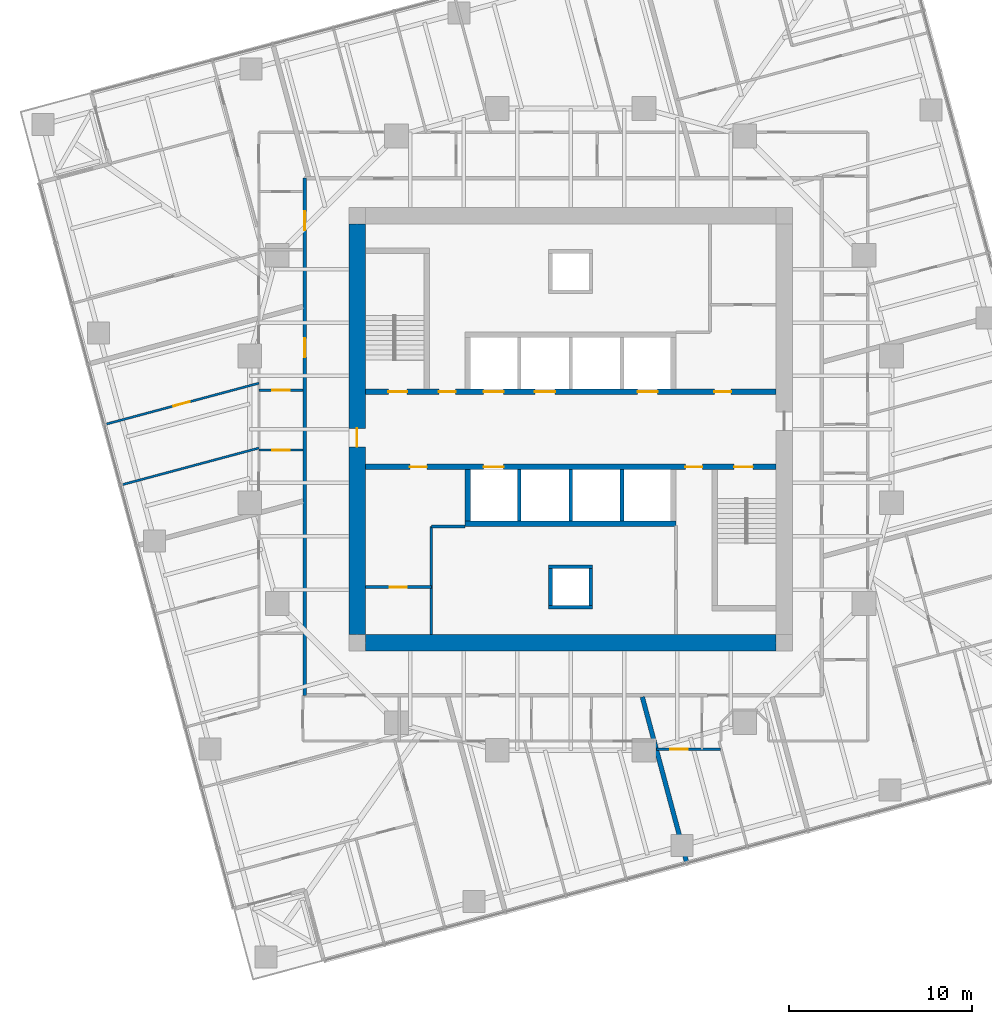
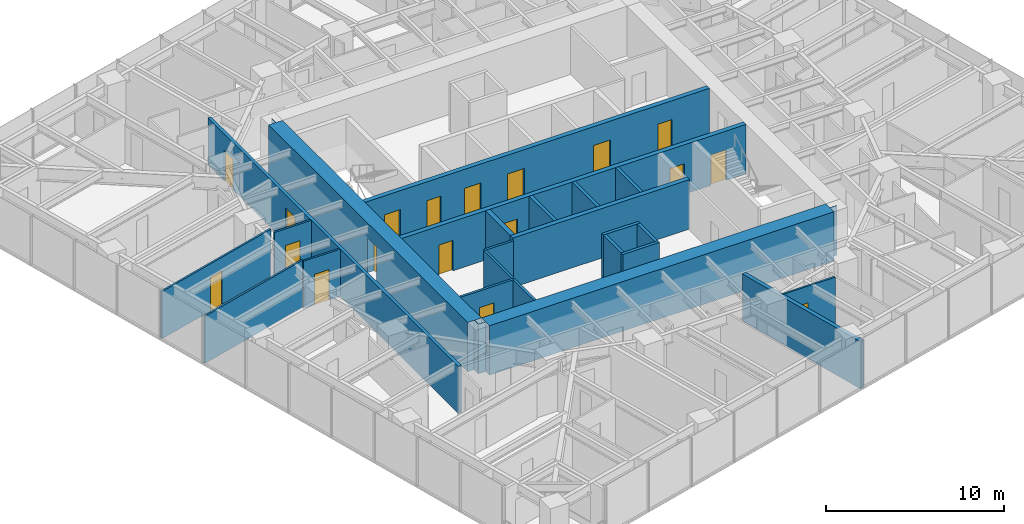
# One storey, part 9 of 14: 23 walls, 18 doors, 18 openings.
"""IFC4 building model written with IfcOpenShell, lengths in metres."""

from ifc_helpers import new_model, si_unit, direction, frame, frame_2d, origin, place, context, subcontext, project, spatial, polyline, rectangle, outline, extrude, material, layer, layer_set, type_object, element, fill, save


model = new_model("IFC4")

# Units and contexts
model_context = context("Model", 3, precision=1e-05, world=origin(), true_north=direction((0.0, 1.0)))
body_context = subcontext(model_context, "Body", "Model", "MODEL_VIEW")
ifc_project = project(units=[si_unit("LENGTHUNIT", "METRE"), si_unit("AREAUNIT", "SQUARE_METRE"), si_unit("VOLUMEUNIT", "CUBIC_METRE"), si_unit("PLANEANGLEUNIT", "RADIAN"), si_unit("MASSUNIT", "GRAM", prefix="KILO")], contexts=[model_context])

# Site, building, storey
site_placement = place(None, origin())
site = spatial("IfcSite", under=ifc_project, at=site_placement, CompositionType="ELEMENT")
building_placement = place(site_placement, origin())
building = spatial("IfcBuilding", under=site, at=building_placement, Name="Torsade Residences", CompositionType="ELEMENT")
storey_placement = place(building_placement, frame((0.0, 0.0, 125.199951171875)))
storey = spatial("IfcBuildingStorey", under=building, at=storey_placement, Name="L34", CompositionType="ELEMENT", Elevation=125.199951171875)

# Wall, openings, doors
ifc_material_1 = material(Name="Concrete 80 MPa", Category="concrete")
ifc_layer_1 = layer(ifc_material_1, 0.300048828125)
ifc_layer_set_1 = layer_set([ifc_layer_1], Name="Concrete 80 MPa")
wall_type_1 = type_object("IfcWallType", Name="CORE INTERNAL WALL 300", PredefinedType="SHEAR", material=ifc_layer_set_1)
wall_1_placement = place(storey_placement, frame((28.800048828125, 32.050048828125, 0.0), z_axis=(0.0, 0.0, 1.0), x_axis=(1.0, 0.0, 0.0)))
wall_1 = element("IfcWall", 1, at=wall_1_placement, inside=storey, type_object=wall_type_1, Name="Core wall LN L34", PredefinedType="SHEAR", context=body_context, shape_type="SweptSolid", body=[
    extrude(rectangle(XDim=22.39990234375, YDim=0.300048828125, at=frame_2d((11.199951171875, 0.0))), origin(), (0.0, 0.0, 1.0), 3.400146484375),
])
opening_1_placement = place(wall_1_placement, frame((19.0400390625, 0.0, 0.0)))
opening_1 = element("IfcOpeningElement", 2, at=opening_1_placement, cuts=wall_1, Name="Opening D06", PredefinedType="OPENING", context=body_context, shape_type="SweptSolid", body=[
    extrude(rectangle(XDim=0.919921875, YDim=2.10009765625, at=frame_2d((0.4599609375, 1.050048828125))), frame((0.0, 0.159912109375, 0.0), z_axis=(0.0, -1.0, 0.0), x_axis=(1.0, 0.0, 0.0)), (0.0, 0.0, 1.0), 0.320068359375),
])
opening_2_placement = place(wall_1_placement, frame((1.264892578125, 0.0, 0.0)))
opening_2 = element("IfcOpeningElement", 3, at=opening_2_placement, cuts=wall_1, Name="Opening D03", PredefinedType="OPENING", context=body_context, shape_type="SweptSolid", body=[
    extrude(rectangle(XDim=1.02001953125, YDim=2.10009765625, at=frame_2d((0.510009765625, 1.050048828125))), frame((0.0, 0.159912109375, 0.0), z_axis=(0.0, -1.0, 0.0), x_axis=(1.0, 0.0, 0.0)), (0.0, 0.0, 1.0), 0.320068359375),
])
opening_3_placement = place(wall_1_placement, frame((4.014892578125, 0.0, 0.0)))
opening_3 = element("IfcOpeningElement", 4, at=opening_3_placement, cuts=wall_1, Name="Opening D06", PredefinedType="OPENING", context=body_context, shape_type="SweptSolid", body=[
    extrude(rectangle(XDim=0.919921875, YDim=2.10009765625, at=frame_2d((0.4599609375, 1.050048828125))), frame((0.0, 0.159912109375, 0.0), z_axis=(0.0, -1.0, 0.0), x_axis=(1.0, 0.0, 0.0)), (0.0, 0.0, 1.0), 0.320068359375),
])
opening_4_placement = place(wall_1_placement, frame((6.449951171875, 0.0, 0.0)))
opening_4 = element("IfcOpeningElement", 5, at=opening_4_placement, cuts=wall_1, Name="Opening LD", PredefinedType="OPENING", context=body_context, shape_type="SweptSolid", body=[
    extrude(rectangle(XDim=1.10009765625, YDim=2.10009765625, at=frame_2d((0.550048828125, 1.050048828125))), frame((0.0, 0.159912109375, 0.0), z_axis=(0.0, -1.0, 0.0), x_axis=(1.0, 0.0, 0.0)), (0.0, 0.0, 1.0), 0.320068359375),
])
opening_5_placement = place(wall_1_placement, frame((9.25, 0.0, 0.0)))
opening_5 = element("IfcOpeningElement", 6, at=opening_5_placement, cuts=wall_1, Name="Opening LD", PredefinedType="OPENING", context=body_context, shape_type="SweptSolid", body=[
    extrude(rectangle(XDim=1.10009765625, YDim=2.10009765625, at=frame_2d((0.550048828125, 1.050048828125))), frame((0.0, 0.159912109375, 0.0), z_axis=(0.0, -1.0, 0.0), x_axis=(1.0, 0.0, 0.0)), (0.0, 0.0, 1.0), 0.320068359375),
])
opening_6_placement = place(wall_1_placement, frame((14.85009765625, 0.0, 0.0)))
opening_6 = element("IfcOpeningElement", 7, at=opening_6_placement, cuts=wall_1, Name="Opening LD", PredefinedType="OPENING", context=body_context, shape_type="SweptSolid", body=[
    extrude(rectangle(XDim=1.10009765625, YDim=2.10009765625, at=frame_2d((0.550048828125, 1.050048828125))), frame((0.0, 0.159912109375, 0.0), z_axis=(0.0, -1.0, 0.0), x_axis=(1.0, 0.0, 0.0)), (0.0, 0.0, 1.0), 0.320068359375),
])
ifc_material_2 = material(Name="Steel-framed fire door", Category="steel")
door_type_1 = type_object("IfcDoorType", Name="FIRE DOOR 1020", OperationType="NOTDEFINED", PredefinedType="DOOR", material=ifc_material_2)
door_1_placement = place(opening_2_placement, origin())
door_1 = element("IfcDoor", 8, at=door_1_placement, inside=storey, type_object=door_type_1, Name="Exit door to fire-isolated stair ST1 L34", OperationType="SINGLE_SWING_RIGHT", OverallHeight=2.10009765625, OverallWidth=1.02001953125, PredefinedType="DOOR", context=body_context, shape_type="SweptSolid", body=[
    extrude(rectangle(XDim=1.02001953125, YDim=2.10009765625, at=frame_2d((0.510009765625, 1.050048828125))), frame((0.0, 0.02490234375, 0.0), z_axis=(0.0, -1.0, 0.0), x_axis=(1.0, 0.0, 0.0)), (0.0, 0.0, 1.0), 0.050048828125),
])
fill(opening_2, door_1)
ifc_material_3 = material(Name="Steel-framed fire door", Category="steel")
door_type_2 = type_object("IfcDoorType", Name="FIRE DOOR 920", OperationType="NOTDEFINED", PredefinedType="DOOR", material=ifc_material_3)
door_2_placement = place(opening_1_placement, origin())
door_2 = element("IfcDoor", 9, at=door_2_placement, inside=storey, type_object=door_type_2, Name="Door Lift lobby to Refuse room", OperationType="SINGLE_SWING_LEFT", OverallHeight=2.10009765625, OverallWidth=0.919921875, PredefinedType="DOOR", context=body_context, shape_type="SweptSolid", body=[
    extrude(rectangle(XDim=0.919921875, YDim=2.10009765625, at=frame_2d((0.4599609375, 1.050048828125))), frame((0.0, 0.02490234375, 0.0), z_axis=(0.0, -1.0, 0.0), x_axis=(1.0, 0.0, 0.0)), (0.0, 0.0, 1.0), 0.050048828125),
])
fill(opening_1, door_2)
door_3_placement = place(opening_3_placement, origin())
door_3 = element("IfcDoor", 10, at=door_3_placement, inside=storey, type_object=door_type_2, Name="Door Lift lobby to Electrical riser room", OperationType="SINGLE_SWING_LEFT", OverallHeight=2.10009765625, OverallWidth=0.919921875, PredefinedType="DOOR", context=body_context, shape_type="SweptSolid", body=[
    extrude(rectangle(XDim=0.919921875, YDim=2.10009765625, at=frame_2d((0.4599609375, 1.050048828125))), frame((0.0, 0.02490234375, 0.0), z_axis=(0.0, -1.0, 0.0), x_axis=(1.0, 0.0, 0.0)), (0.0, 0.0, 1.0), 0.050048828125),
])
fill(opening_3, door_3)
ifc_material_4 = material(Name="Stainless steel lift landing door", Category="steel")
door_type_3 = type_object("IfcDoorType", Name="LIFT LANDING DOOR 1100", OperationType="SLIDING_TO_LEFT", PredefinedType="DOOR", material=ifc_material_4)
door_4_placement = place(opening_4_placement, origin())
door_4 = element("IfcDoor", 11, at=door_4_placement, inside=storey, type_object=door_type_3, Name="Lift LA1 landing door L34", OperationType="SLIDING_TO_LEFT", OverallHeight=2.10009765625, OverallWidth=1.10009765625, PredefinedType="DOOR", context=body_context, shape_type="SweptSolid", body=[
    extrude(rectangle(XDim=1.10009765625, YDim=2.10009765625, at=frame_2d((0.550048828125, 1.050048828125))), frame((0.0, 0.02490234375, 0.0), z_axis=(0.0, -1.0, 0.0), x_axis=(1.0, 0.0, 0.0)), (0.0, 0.0, 1.0), 0.050048828125),
])
fill(opening_4, door_4)
door_5_placement = place(opening_5_placement, origin())
door_5 = element("IfcDoor", 12, at=door_5_placement, inside=storey, type_object=door_type_3, Name="Lift LA2 landing door L34", OperationType="SLIDING_TO_LEFT", OverallHeight=2.10009765625, OverallWidth=1.10009765625, PredefinedType="DOOR", context=body_context, shape_type="SweptSolid", body=[
    extrude(rectangle(XDim=1.10009765625, YDim=2.10009765625, at=frame_2d((0.550048828125, 1.050048828125))), frame((0.0, 0.02490234375, 0.0), z_axis=(0.0, -1.0, 0.0), x_axis=(1.0, 0.0, 0.0)), (0.0, 0.0, 1.0), 0.050048828125),
])
fill(opening_5, door_5)
door_6_placement = place(opening_6_placement, origin())
door_6 = element("IfcDoor", 13, at=door_6_placement, inside=storey, type_object=door_type_3, Name="Lift FL1 landing door L34", OperationType="SLIDING_TO_LEFT", OverallHeight=2.10009765625, OverallWidth=1.10009765625, PredefinedType="DOOR", context=body_context, shape_type="SweptSolid", body=[
    extrude(rectangle(XDim=1.10009765625, YDim=2.10009765625, at=frame_2d((0.550048828125, 1.050048828125))), frame((0.0, 0.02490234375, 0.0), z_axis=(0.0, -1.0, 0.0), x_axis=(1.0, 0.0, 0.0)), (0.0, 0.0, 1.0), 0.050048828125),
])
fill(opening_6, door_6)

wall_2_placement = place(storey_placement, frame((51.199951171875, 27.949951171875, 0.0), z_axis=(0.0, 0.0, 1.0), x_axis=(-1.0, 0.0, 0.0)))
wall_2 = element("IfcWall", 14, at=wall_2_placement, inside=storey, type_object=wall_type_1, Name="Core wall LS L34", PredefinedType="SHEAR", context=body_context, shape_type="SweptSolid", body=[
    extrude(rectangle(XDim=22.39990234375, YDim=0.300048828125, at=frame_2d((11.199951171875, 0.0))), origin(), (0.0, 0.0, 1.0), 3.400146484375),
])
opening_7_placement = place(wall_2_placement, frame((19.0400390625, 0.0, 0.0)))
opening_7 = element("IfcOpeningElement", 15, at=opening_7_placement, cuts=wall_2, Name="Opening D06", PredefinedType="OPENING", context=body_context, shape_type="SweptSolid", body=[
    extrude(rectangle(XDim=0.919921875, YDim=2.10009765625, at=frame_2d((0.4599609375, 1.050048828125))), frame((0.0, 0.159912109375, 0.0), z_axis=(0.0, -1.0, 0.0), x_axis=(1.0, 0.0, 0.0)), (0.0, 0.0, 1.0), 0.320068359375),
])
opening_8_placement = place(wall_2_placement, frame((1.264892578125, 0.0, 0.0)))
opening_8 = element("IfcOpeningElement", 16, at=opening_8_placement, cuts=wall_2, Name="Opening D03", PredefinedType="OPENING", context=body_context, shape_type="SweptSolid", body=[
    extrude(rectangle(XDim=1.02001953125, YDim=2.10009765625, at=frame_2d((0.510009765625, 1.050048828125))), frame((0.0, 0.159912109375, 0.0), z_axis=(0.0, -1.0, 0.0), x_axis=(1.0, 0.0, 0.0)), (0.0, 0.0, 1.0), 0.320068359375),
])
opening_9_placement = place(wall_2_placement, frame((4.014892578125, 0.0, 0.0)))
opening_9 = element("IfcOpeningElement", 17, at=opening_9_placement, cuts=wall_2, Name="Opening D06", PredefinedType="OPENING", context=body_context, shape_type="SweptSolid", body=[
    extrude(rectangle(XDim=0.919921875, YDim=2.10009765625, at=frame_2d((0.4599609375, 1.050048828125))), frame((0.0, 0.159912109375, 0.0), z_axis=(0.0, -1.0, 0.0), x_axis=(1.0, 0.0, 0.0)), (0.0, 0.0, 1.0), 0.320068359375),
])
opening_10_placement = place(wall_2_placement, frame((14.85009765625, 0.0, 0.0)))
opening_10 = element("IfcOpeningElement", 18, at=opening_10_placement, cuts=wall_2, Name="Opening LD", PredefinedType="OPENING", context=body_context, shape_type="SweptSolid", body=[
    extrude(rectangle(XDim=1.10009765625, YDim=2.10009765625, at=frame_2d((0.550048828125, 1.050048828125))), frame((0.0, 0.159912109375, 0.0), z_axis=(0.0, -1.0, 0.0), x_axis=(1.0, 0.0, 0.0)), (0.0, 0.0, 1.0), 0.320068359375),
])
door_7_placement = place(opening_8_placement, origin())
door_7 = element("IfcDoor", 19, at=door_7_placement, inside=storey, type_object=door_type_1, Name="Exit door to fire-isolated stair ST2 L34", OperationType="SINGLE_SWING_RIGHT", OverallHeight=2.10009765625, OverallWidth=1.02001953125, PredefinedType="DOOR", context=body_context, shape_type="SweptSolid", body=[
    extrude(rectangle(XDim=1.02001953125, YDim=2.10009765625, at=frame_2d((0.510009765625, 1.050048828125))), frame((0.0, 0.02490234375, 0.0), z_axis=(0.0, -1.0, 0.0), x_axis=(1.0, 0.0, 0.0)), (0.0, 0.0, 1.0), 0.050048828125),
])
fill(opening_8, door_7)
door_8_placement = place(opening_7_placement, origin())
door_8 = element("IfcDoor", 20, at=door_8_placement, inside=storey, type_object=door_type_2, Name="Door Lift lobby to Cleaner store", OperationType="SINGLE_SWING_LEFT", OverallHeight=2.10009765625, OverallWidth=0.919921875, PredefinedType="DOOR", context=body_context, shape_type="SweptSolid", body=[
    extrude(rectangle(XDim=0.919921875, YDim=2.10009765625, at=frame_2d((0.4599609375, 1.050048828125))), frame((0.0, 0.02490234375, 0.0), z_axis=(0.0, -1.0, 0.0), x_axis=(1.0, 0.0, 0.0)), (0.0, 0.0, 1.0), 0.050048828125),
])
fill(opening_7, door_8)
door_9_placement = place(opening_9_placement, origin())
door_9 = element("IfcDoor", 21, at=door_9_placement, inside=storey, type_object=door_type_2, Name="Door Lift lobby to Security and data store", OperationType="SINGLE_SWING_RIGHT", OverallHeight=2.10009765625, OverallWidth=0.919921875, PredefinedType="DOOR", context=body_context, shape_type="SweptSolid", body=[
    extrude(rectangle(XDim=0.919921875, YDim=2.10009765625, at=frame_2d((0.4599609375, 1.050048828125))), frame((0.0, 0.02490234375, 0.0), z_axis=(0.0, -1.0, 0.0), x_axis=(1.0, 0.0, 0.0)), (0.0, 0.0, 1.0), 0.050048828125),
])
fill(opening_9, door_9)
door_10_placement = place(opening_10_placement, origin())
door_10 = element("IfcDoor", 22, at=door_10_placement, inside=storey, type_object=door_type_3, Name="Lift FL2 landing door L34", OperationType="SLIDING_TO_LEFT", OverallHeight=2.10009765625, OverallWidth=1.10009765625, PredefinedType="DOOR", context=body_context, shape_type="SweptSolid", body=[
    extrude(rectangle(XDim=1.10009765625, YDim=2.10009765625, at=frame_2d((0.550048828125, 1.050048828125))), frame((0.0, 0.02490234375, 0.0), z_axis=(0.0, -1.0, 0.0), x_axis=(1.0, 0.0, 0.0)), (0.0, 0.0, 1.0), 0.050048828125),
])
fill(opening_10, door_10)

# Walls
wall_3_placement = place(storey_placement, frame((45.75, 24.85009765625, 0.0), z_axis=(0.0, 0.0, 1.0), x_axis=(-1.0, 0.0, 0.0)))
element("IfcWall", 23, at=wall_3_placement, inside=storey, type_object=wall_type_1, Name="Core wall BS L34", PredefinedType="SHEAR", context=body_context, shape_type="SweptSolid", body=[
    extrude(rectangle(XDim=11.5, YDim=0.300048828125, at=frame_2d((5.75, 0.0))), origin(), (0.0, 0.0, 1.0), 3.400146484375),
])
wall_4_placement = place(storey_placement, frame((34.39990234375, 27.800048828125, 0.0), z_axis=(0.0, 0.0, 1.0), x_axis=(0.0, -1.0, 0.0)))
element("IfcWall", 24, at=wall_4_placement, inside=storey, type_object=wall_type_1, Name="Core wall DS4 L34", PredefinedType="SHEAR", context=body_context, shape_type="SweptSolid", body=[
    extrude(rectangle(XDim=2.800048828125, YDim=0.300048828125, at=frame_2d((1.39990234375, 0.0))), origin(), (0.0, 0.0, 1.0), 3.400146484375),
])
ifc_material_5 = material(Name="Concrete 80 MPa", Category="concrete")
ifc_layer_2 = layer(ifc_material_5, 0.89990234375)
ifc_layer_set_2 = layer_set([ifc_layer_2], Name="Concrete 80 MPa")
wall_type_2 = type_object("IfcWallType", Name="CORE WALL 900", PredefinedType="SHEAR", material=ifc_layer_set_2)
wall_5_placement = place(storey_placement, frame((51.199951171875, 18.35009765625, 0.0), z_axis=(0.0, 0.0, 1.0), x_axis=(-1.0, 0.0, 0.0)))
element("IfcWall", 25, at=wall_5_placement, inside=storey, type_object=wall_type_2, Name="Core wall S L34", PredefinedType="SHEAR", context=body_context, shape_type="SweptSolid", body=[
    extrude(outline(polyline([(0.0, -0.449951171875), (22.39990234375, -0.449951171875), (22.39990234375, -0.02490234375), (22.849853515625, -0.02490234375), (22.849853515625, 0.02490234375), (22.39990234375, 0.02490234375), (22.39990234375, 0.449951171875), (0.0, 0.449951171875), (0.0, 0.02490234375), (-0.449951171875, 0.02490234375), (-0.449951171875, -0.02490234375), (0.0, -0.02490234375), (0.0, -0.449951171875)])), origin(), (0.0, 0.0, 1.0), 3.400146484375),
])

# Wall, opening, door
wall_6_placement = place(storey_placement, frame((28.35009765625, 41.199951171875, 0.0), z_axis=(0.0, 0.0, 1.0), x_axis=(0.0, -1.0, 0.0)))
wall_6 = element("IfcWall", 26, at=wall_6_placement, inside=storey, type_object=wall_type_2, Name="Core wall W L34", PredefinedType="SHEAR", context=body_context, shape_type="SweptSolid", body=[
    extrude(outline(polyline([(0.0, -0.449951171875), (22.39990234375, -0.449951171875), (22.39990234375, -0.02490234375), (22.849853515625, -0.02490234375), (22.849853515625, 0.02490234375), (22.39990234375, 0.02490234375), (22.39990234375, 0.449951171875), (0.0, 0.449951171875), (0.0, 0.02490234375), (-0.449951171875, 0.02490234375), (-0.449951171875, -0.02490234375), (0.0, -0.02490234375), (0.0, -0.449951171875)])), origin(), (0.0, 0.0, 1.0), 3.400146484375),
])
opening_11_placement = place(wall_6_placement, frame((11.139892578125, 0.0, 0.0)))
opening_11 = element("IfcOpeningElement", 27, at=opening_11_placement, cuts=wall_6, Name="Opening D04", PredefinedType="OPENING", context=body_context, shape_type="SweptSolid", body=[
    extrude(rectangle(XDim=1.02001953125, YDim=2.39990234375, at=frame_2d((0.510009765625, 1.199951171875))), frame((0.0, 0.4599609375, 0.0), z_axis=(0.0, -1.0, 0.0), x_axis=(1.0, 0.0, 0.0)), (0.0, 0.0, 1.0), 0.919921875),
])
ifc_material_6 = material(Name="Steel-framed fire door", Category="steel")
door_type_4 = type_object("IfcDoorType", Name="LOBBY SMOKE DOOR 1020x2400", OperationType="NOTDEFINED", PredefinedType="DOOR", material=ifc_material_6)
door_11_placement = place(opening_11_placement, origin())
door_11 = element("IfcDoor", 28, at=door_11_placement, inside=storey, type_object=door_type_4, Name="Lift lobby door W L34", OperationType="SINGLE_SWING_RIGHT", OverallHeight=2.39990234375, OverallWidth=1.02001953125, PredefinedType="DOOR", context=body_context, shape_type="SweptSolid", body=[
    extrude(rectangle(XDim=1.02001953125, YDim=2.39990234375, at=frame_2d((0.510009765625, 1.199951171875))), frame((0.0, 0.02490234375, 0.0), z_axis=(0.0, -1.0, 0.0), x_axis=(1.0, 0.0, 0.0)), (0.0, 0.0, 1.0), 0.050048828125),
])
fill(opening_11, door_11)

# Wall, openings, doors
ifc_material_7 = material(Name="Plasterboard on steel stud", Category="steel")
ifc_layer_3 = layer(ifc_material_7, 0.199951171875)
ifc_layer_set_3 = layer_set([ifc_layer_3], Name="Plasterboard on steel stud")
wall_type_3 = type_object("IfcWallType", Name="CORRIDOR WALL 200", PredefinedType="PARTITIONING", material=ifc_layer_set_3)
wall_7_placement = place(storey_placement, frame((25.5, 43.699951171875, 0.0), z_axis=(0.0, 0.0, 1.0), x_axis=(0.0, -1.0, 0.0)))
wall_7 = element("IfcWall", 29, at=wall_7_placement, inside=storey, type_object=wall_type_3, Name="Corridor wall L34", PredefinedType="PARTITIONING", context=body_context, shape_type="SweptSolid", body=[
    extrude(rectangle(XDim=28.199951171875, YDim=0.199951171875, at=frame_2d((14.10009765625, 0.0))), origin(), (0.0, 0.0, 1.0), 3.25),
])
opening_12_placement = place(wall_7_placement, frame((8.7421875, 0.0, 0.0)))
opening_12 = element("IfcOpeningElement", 30, at=opening_12_placement, cuts=wall_7, Name="Opening D01", PredefinedType="OPENING", context=body_context, shape_type="SweptSolid", body=[
    extrude(rectangle(XDim=1.02001953125, YDim=2.340087890625, at=frame_2d((0.510009765625, 1.169921875))), frame((0.0, 0.10986328125, 0.0), z_axis=(0.0, -1.0, 0.0), x_axis=(1.0, 0.0, 0.0)), (0.0, 0.0, 1.0), 0.219970703125),
])
opening_13_placement = place(wall_7_placement, frame((1.808349609375, 0.0, 0.0)))
opening_13 = element("IfcOpeningElement", 31, at=opening_13_placement, cuts=wall_7, Name="Opening D01L", PredefinedType="OPENING", context=body_context, shape_type="SweptSolid", body=[
    extrude(rectangle(XDim=1.02001953125, YDim=2.10009765625, at=frame_2d((0.510009765625, 1.050048828125))), frame((0.0, 0.10986328125, 0.0), z_axis=(0.0, -1.0, 0.0), x_axis=(1.0, 0.0, 0.0)), (0.0, 0.0, 1.0), 0.219970703125),
])
ifc_material_8 = material(Name="Solid-core timber fire door", Category="wood")
door_type_5 = type_object("IfcDoorType", Name="APARTMENT ENTRY DOOR 1020x2100", OperationType="NOTDEFINED", PredefinedType="DOOR", material=ifc_material_8)
door_12_placement = place(opening_13_placement, origin())
door_12 = element("IfcDoor", 32, at=door_12_placement, inside=storey, type_object=door_type_5, Name="Door Residential corridor to Kitchen and dining", OperationType="SINGLE_SWING_LEFT", OverallHeight=2.10009765625, OverallWidth=1.02001953125, PredefinedType="DOOR", context=body_context, shape_type="SweptSolid", body=[
    extrude(rectangle(XDim=1.02001953125, YDim=2.10009765625, at=frame_2d((0.510009765625, 1.050048828125))), frame((0.0, 0.02490234375, 0.0), z_axis=(0.0, -1.0, 0.0), x_axis=(1.0, 0.0, 0.0)), (0.0, 0.0, 1.0), 0.050048828125),
])
fill(opening_13, door_12)
ifc_material_9 = material(Name="Solid-core timber fire door", Category="wood")
door_type_6 = type_object("IfcDoorType", Name="APARTMENT ENTRY DOOR 1020x2340", OperationType="NOTDEFINED", PredefinedType="DOOR", material=ifc_material_9)
door_13_placement = place(opening_12_placement, origin())
door_13 = element("IfcDoor", 33, at=door_13_placement, inside=storey, type_object=door_type_6, Name="Door Residential corridor to Kitchen and dining", OperationType="SINGLE_SWING_RIGHT", OverallHeight=2.340087890625, OverallWidth=1.02001953125, PredefinedType="DOOR", context=body_context, shape_type="SweptSolid", body=[
    extrude(rectangle(XDim=1.02001953125, YDim=2.340087890625, at=frame_2d((0.510009765625, 1.169921875))), frame((0.0, 0.02490234375, 0.0), z_axis=(0.0, -1.0, 0.0), x_axis=(1.0, 0.0, 0.0)), (0.0, 0.0, 1.0), 0.050048828125),
])
fill(opening_12, door_13)

# Walls
ifc_material_10 = material(Name="Reinforced blockwork", Category="masonry")
ifc_layer_4 = layer(ifc_material_10, 0.199951171875)
ifc_layer_set_4 = layer_set([ifc_layer_4], Name="Reinforced blockwork")
wall_type_4 = type_object("IfcWallType", Name="LIFT SHAFT DIVIDING WALL 200", PredefinedType="SOLIDWALL", material=ifc_layer_set_4)
for number, where, z_axis, x_axis, name in (
    (34, (42.800048828125, 27.800048828125, 0.0), (0.0, 0.0, 1.0), (0.0, -1.0, 0.0), "Core wall DS1 L34"),
    (35, (40.0, 27.800048828125, 0.0), (0.0, 0.0, 1.0), (0.0, -1.0, 0.0), "Core wall DS2 L34"),
    (36, (37.199951171875, 27.800048828125, 0.0), (0.0, 0.0, 1.0), (0.0, -1.0, 0.0), "Core wall DS3 L34"),
):
    element("IfcWall", number, at=place(storey_placement, frame(where, z_axis=z_axis, x_axis=x_axis)), inside=storey, type_object=wall_type_4, Name=name, PredefinedType="SOLIDWALL", context=body_context, shape_type="SweptSolid", body=[
        extrude(rectangle(XDim=2.800048828125, YDim=0.199951171875, at=frame_2d((1.39990234375, 0.0))), origin(), (0.0, 0.0, 1.0), 3.400146484375),
    ])

# Wall, opening, door
ifc_material_11 = material(Name="Plasterboard on steel stud", Category="steel")
ifc_layer_5 = layer(ifc_material_11, 0.1201171875)
ifc_layer_set_5 = layer_set([ifc_layer_5], Name="Plasterboard on steel stud")
wall_type_5 = type_object("IfcWallType", Name="PARTITION 120", PredefinedType="PARTITIONING", material=ifc_layer_set_5)
wall_8_placement = place(storey_placement, frame((48.1708984375, 12.550048828125, 0.0), z_axis=(0.0, 0.0, 1.0), x_axis=(-1.0, 0.0, 0.0)))
wall_8 = element("IfcWall", 37, at=wall_8_placement, inside=storey, type_object=wall_type_5, Name="Partition L34", PredefinedType="PARTITIONING", context=body_context, shape_type="SweptSolid", body=[
    extrude(rectangle(XDim=3.4951171875, YDim=0.1201171875, at=frame_2d((1.74755859375, 0.0))), origin(), (0.0, 0.0, 1.0), 3.25),
])
opening_14_placement = place(wall_8_placement, frame((1.76953125, 0.0, 0.0)))
opening_14 = element("IfcOpeningElement", 38, at=opening_14_placement, cuts=wall_8, Name="Opening D05", PredefinedType="OPENING", context=body_context, shape_type="SweptSolid", body=[
    extrude(rectangle(XDim=0.9599609375, YDim=2.10009765625, at=frame_2d((0.47998046875, 1.050048828125))), frame((0.0, 0.070068359375, 0.0), z_axis=(0.0, -1.0, 0.0), x_axis=(1.0, 0.0, 0.0)), (0.0, 0.0, 1.0), 0.14013671875),
])
ifc_material_12 = material(Name="Hollow-core timber door in a steel cavity frame", Category="steel")
door_type_7 = type_object("IfcDoorType", Name="BATHROOM CAVITY SLIDING DOOR 960", OperationType="SLIDING_TO_LEFT", PredefinedType="DOOR", material=ifc_material_12)
door_14_placement = place(opening_14_placement, origin())
door_14 = element("IfcDoor", 39, at=door_14_placement, inside=storey, type_object=door_type_7, Name="Door Bathroom to Living room", OperationType="SLIDING_TO_LEFT", OverallHeight=2.10009765625, OverallWidth=0.9599609375, PredefinedType="DOOR", context=body_context, shape_type="SweptSolid", body=[
    extrude(rectangle(XDim=0.9599609375, YDim=2.10009765625, at=frame_2d((0.47998046875, 1.050048828125))), frame((0.0, 0.02490234375, 0.0), z_axis=(0.0, -1.0, 0.0), x_axis=(1.0, 0.0, 0.0)), (0.0, 0.0, 1.0), 0.050048828125),
])
fill(opening_14, door_14)

wall_9_placement = place(storey_placement, frame((25.39990234375, 32.1337890625, 0.0), z_axis=(0.0, 0.0, 1.0), x_axis=(-1.0, 0.0, 0.0)))
wall_9 = element("IfcWall", 40, at=wall_9_placement, inside=storey, type_object=wall_type_5, Name="Partition L34", PredefinedType="PARTITIONING", context=body_context, shape_type="SweptSolid", body=[
    extrude(rectangle(XDim=2.39990234375, YDim=0.1201171875, at=frame_2d((1.199951171875, 0.0))), origin(), (0.0, 0.0, 1.0), 3.25),
])
opening_15_placement = place(wall_9_placement, frame((0.719970703125, 0.0, 0.0)))
opening_15 = element("IfcOpeningElement", 41, at=opening_15_placement, cuts=wall_9, Name="Opening D05", PredefinedType="OPENING", context=body_context, shape_type="SweptSolid", body=[
    extrude(rectangle(XDim=0.9599609375, YDim=2.10009765625, at=frame_2d((0.47998046875, 1.050048828125))), frame((0.0, 0.070068359375, 0.0), z_axis=(0.0, -1.0, 0.0), x_axis=(1.0, 0.0, 0.0)), (0.0, 0.0, 1.0), 0.14013671875),
])
door_15_placement = place(opening_15_placement, origin())
door_15 = element("IfcDoor", 42, at=door_15_placement, inside=storey, type_object=door_type_7, Name="Door Kitchen and dining to Bathroom", OperationType="SLIDING_TO_LEFT", OverallHeight=2.10009765625, OverallWidth=0.9599609375, PredefinedType="DOOR", context=body_context, shape_type="SweptSolid", body=[
    extrude(rectangle(XDim=0.9599609375, YDim=2.10009765625, at=frame_2d((0.47998046875, 1.050048828125))), frame((0.0, 0.02490234375, 0.0), z_axis=(0.0, -1.0, 0.0), x_axis=(1.0, 0.0, 0.0)), (0.0, 0.0, 1.0), 0.050048828125),
])
fill(opening_15, door_15)

wall_10_placement = place(storey_placement, frame((25.39990234375, 28.86767578125, 0.0), z_axis=(0.0, 0.0, 1.0), x_axis=(-1.0, 0.0, 0.0)))
wall_10 = element("IfcWall", 43, at=wall_10_placement, inside=storey, type_object=wall_type_5, Name="Partition L34", PredefinedType="PARTITIONING", context=body_context, shape_type="SweptSolid", body=[
    extrude(rectangle(XDim=2.39990234375, YDim=0.1201171875, at=frame_2d((1.199951171875, 0.0))), origin(), (0.0, 0.0, 1.0), 3.25),
])
opening_16_placement = place(wall_10_placement, frame((0.719970703125, 0.0, 0.0)))
opening_16 = element("IfcOpeningElement", 44, at=opening_16_placement, cuts=wall_10, Name="Opening D05", PredefinedType="OPENING", context=body_context, shape_type="SweptSolid", body=[
    extrude(rectangle(XDim=0.9599609375, YDim=2.10009765625, at=frame_2d((0.47998046875, 1.050048828125))), frame((0.0, 0.070068359375, 0.0), z_axis=(0.0, -1.0, 0.0), x_axis=(1.0, 0.0, 0.0)), (0.0, 0.0, 1.0), 0.14013671875),
])
door_16_placement = place(opening_16_placement, origin())
door_16 = element("IfcDoor", 45, at=door_16_placement, inside=storey, type_object=door_type_7, Name="Door Bathroom to Ensuite", OperationType="SLIDING_TO_LEFT", OverallHeight=2.10009765625, OverallWidth=0.9599609375, PredefinedType="DOOR", context=body_context, shape_type="SweptSolid", body=[
    extrude(rectangle(XDim=0.9599609375, YDim=2.10009765625, at=frame_2d((0.47998046875, 1.050048828125))), frame((0.0, 0.02490234375, 0.0), z_axis=(0.0, -1.0, 0.0), x_axis=(1.0, 0.0, 0.0)), (0.0, 0.0, 1.0), 0.050048828125),
])
fill(opening_16, door_16)

wall_11_placement = place(storey_placement, frame((23.0, 32.519287109375, 0.0), z_axis=(0.0, 0.0, 1.0), x_axis=(-0.965925607751, -0.258819860698, 0.0)))
wall_11 = element("IfcWall", 46, at=wall_11_placement, inside=storey, type_object=wall_type_5, Name="Partition L34", PredefinedType="PARTITIONING", context=body_context, shape_type="SweptSolid", body=[
    extrude(rectangle(XDim=8.69140625, YDim=0.1201171875, at=frame_2d((4.345703125, 0.0))), origin(), (0.0, 0.0, 1.0), 3.25),
])
opening_17_placement = place(wall_11_placement, frame((3.90576171875, 0.0, 0.0)))
opening_17 = element("IfcOpeningElement", 47, at=opening_17_placement, cuts=wall_11, Name="Opening D02", PredefinedType="OPENING", context=body_context, shape_type="SweptSolid", body=[
    extrude(rectangle(XDim=0.919921875, YDim=2.340087890625, at=frame_2d((0.4599609375, 1.169921875))), frame((0.0, 0.070068359375, 0.0), z_axis=(0.0, -1.0, 0.0), x_axis=(1.0, 0.0, 0.0)), (0.0, 0.0, 1.0), 0.14013671875),
])
ifc_material_13 = material(Name="Hollow-core timber door", Category="wood")
door_type_8 = type_object("IfcDoorType", Name="INTERNAL DOOR 920x2340", OperationType="NOTDEFINED", PredefinedType="DOOR", material=ifc_material_13)
door_17_placement = place(opening_17_placement, origin())
door_17 = element("IfcDoor", 48, at=door_17_placement, inside=storey, type_object=door_type_8, Name="Door Living room to Bedroom 1", OperationType="SINGLE_SWING_LEFT", OverallHeight=2.340087890625, OverallWidth=0.919921875, PredefinedType="DOOR", context=body_context, shape_type="SweptSolid", body=[
    extrude(rectangle(XDim=0.919921875, YDim=2.340087890625, at=frame_2d((0.4599609375, 1.169921875))), frame((0.0, 0.02490234375, 0.0), z_axis=(0.0, -1.0, 0.0), x_axis=(1.0, 0.0, 0.0)), (0.0, 0.0, 1.0), 0.050048828125),
])
fill(opening_17, door_17)

# Walls
wall_12_placement = place(storey_placement, frame((23.0, 28.98193359375, 0.0), z_axis=(0.0, 0.0, 1.0), x_axis=(-0.965927309482, -0.258813509689, 0.0)))
element("IfcWall", 49, at=wall_12_placement, inside=storey, type_object=wall_type_5, Name="Partition L34", PredefinedType="PARTITIONING", context=body_context, shape_type="SweptSolid", body=[
    extrude(rectangle(XDim=7.775634765625, YDim=0.1201171875, at=frame_2d((3.8876953125, 0.0))), origin(), (0.0, 0.0, 1.0), 3.25),
])
ifc_material_14 = material(Name="Masonry-lined stud party wall", Category="masonry")
ifc_layer_6 = layer(ifc_material_14, 0.25)
ifc_layer_set_6 = layer_set([ifc_layer_6], Name="Masonry-lined stud party wall")
wall_type_6 = type_object("IfcWallType", Name="PARTY WALL 250", PredefinedType="PARTITIONING", material=ifc_layer_set_6)
wall_13_placement = place(storey_placement, frame((46.341064453125, 6.334716796875, 0.0), z_axis=(0.0, 0.0, 1.0), x_axis=(-0.258814481793, 0.965927049013, 0.0)))
element("IfcWall", 50, at=wall_13_placement, inside=storey, type_object=wall_type_6, Name="Party wall L34", PredefinedType="PARTITIONING", context=body_context, shape_type="SweptSolid", body=[
    extrude(rectangle(XDim=9.3916015625, YDim=0.25, at=frame_2d((4.69580078125, 0.0))), origin(), (0.0, 0.0, 1.0), 3.25),
])
ifc_material_15 = material(Name="Reinforced blockwork", Category="masonry")
ifc_layer_7 = layer(ifc_material_15, 0.199951171875)
ifc_layer_set_7 = layer_set([ifc_layer_7], Name="Reinforced blockwork")
wall_type_7 = type_object("IfcWallType", Name="RISER SHAFT WALL 200", PredefinedType="SOLIDWALL", material=ifc_layer_set_7)
for number, where, z_axis, x_axis, name in (
    (51, (38.89990234375, 22.39990234375, 0.0), (0.0, 0.0, 1.0), (0.0, -1.0, 0.0), "Core wall RS2a L34"),
    (52, (41.10009765625, 22.39990234375, 0.0), (0.0, 0.0, 1.0), (0.0, -1.0, 0.0), "Core wall RS2b L34"),
):
    element("IfcWall", number, at=place(storey_placement, frame(where, z_axis=z_axis, x_axis=x_axis)), inside=storey, type_object=wall_type_7, Name=name, PredefinedType="SOLIDWALL", context=body_context, shape_type="SweptSolid", body=[
        extrude(rectangle(XDim=2.0, YDim=0.199951171875, at=frame_2d((1.0, 0.0))), origin(), (0.0, 0.0, 1.0), 3.400146484375),
    ])
for number, where, z_axis, x_axis, name in (
    (53, (38.800048828125, 22.5, 0.0), (0.0, 0.0, 1.0), (1.0, 0.0, 0.0), "Core wall RS2c L34"),
    (54, (38.800048828125, 20.300048828125, 0.0), (0.0, 0.0, 1.0), (1.0, 0.0, 0.0), "Core wall RS2d L34"),
):
    element("IfcWall", number, at=place(storey_placement, frame(where, z_axis=z_axis, x_axis=x_axis)), inside=storey, type_object=wall_type_7, Name=name, PredefinedType="SOLIDWALL", context=body_context, shape_type="SweptSolid", body=[
        extrude(rectangle(XDim=2.39990234375, YDim=0.199951171875, at=frame_2d((1.199951171875, 0.0))), origin(), (0.0, 0.0, 1.0), 3.400146484375),
    ])
ifc_material_16 = material(Name="Reinforced blockwork", Category="masonry")
ifc_layer_8 = layer(ifc_material_16, 0.14990234375)
ifc_layer_set_8 = layer_set([ifc_layer_8], Name="Reinforced blockwork")
wall_type_8 = type_object("IfcWallType", Name="SERVICE ROOM WALL 150", PredefinedType="SOLIDWALL", material=ifc_layer_set_8)
wall_14_placement = place(storey_placement, frame((32.39990234375, 18.800048828125, 0.0), z_axis=(0.0, 0.0, 1.0), x_axis=(0.0, 1.0, 0.0)))
element("IfcWall", 55, at=wall_14_placement, inside=storey, type_object=wall_type_8, Name="Service room wall L34", PredefinedType="SOLIDWALL", context=body_context, shape_type="SweptSolid", body=[
    extrude(rectangle(XDim=5.89990234375, YDim=0.14990234375, at=frame_2d((2.949951171875, 0.0))), origin(), (0.0, 0.0, 1.0), 3.25),
])
wall_15_placement = place(storey_placement, frame((32.39990234375, 24.699951171875, 0.0), z_axis=(0.0, 0.0, 1.0), x_axis=(1.0, 0.0, 0.0)))
element("IfcWall", 56, at=wall_15_placement, inside=storey, type_object=wall_type_8, Name="Service room wall L34", PredefinedType="SOLIDWALL", context=body_context, shape_type="SweptSolid", body=[
    extrude(rectangle(XDim=1.85009765625, YDim=0.14990234375, at=frame_2d((0.925048828125, 0.0))), origin(), (0.0, 0.0, 1.0), 3.25),
])

# Wall, opening, door
wall_16_placement = place(storey_placement, frame((32.39990234375, 21.39990234375, 0.0), z_axis=(0.0, 0.0, 1.0), x_axis=(-1.0, 0.0, 0.0)))
wall_16 = element("IfcWall", 57, at=wall_16_placement, inside=storey, type_object=wall_type_8, Name="Service room wall L34", PredefinedType="SOLIDWALL", context=body_context, shape_type="SweptSolid", body=[
    extrude(rectangle(XDim=3.599853515625, YDim=0.14990234375, at=frame_2d((1.7998046875, 0.0))), origin(), (0.0, 0.0, 1.0), 3.25),
])
opening_18_placement = place(wall_16_placement, frame((1.340087890625, 0.0, 0.0)))
opening_18 = element("IfcOpeningElement", 58, at=opening_18_placement, cuts=wall_16, Name="Opening D06", PredefinedType="OPENING", context=body_context, shape_type="SweptSolid", body=[
    extrude(rectangle(XDim=0.919921875, YDim=2.10009765625, at=frame_2d((0.4599609375, 1.050048828125))), frame((0.0, 0.0849609375, 0.0), z_axis=(0.0, -1.0, 0.0), x_axis=(1.0, 0.0, 0.0)), (0.0, 0.0, 1.0), 0.169921875),
])
door_18_placement = place(opening_18_placement, origin())
door_18 = element("IfcDoor", 59, at=door_18_placement, inside=storey, type_object=door_type_2, Name="Door Cleaner store to Building store", OperationType="SINGLE_SWING_LEFT", OverallHeight=2.10009765625, OverallWidth=0.919921875, PredefinedType="DOOR", context=body_context, shape_type="SweptSolid", body=[
    extrude(rectangle(XDim=0.919921875, YDim=2.10009765625, at=frame_2d((0.4599609375, 1.050048828125))), frame((0.0, 0.02490234375, 0.0), z_axis=(0.0, -1.0, 0.0), x_axis=(1.0, 0.0, 0.0)), (0.0, 0.0, 1.0), 0.050048828125),
])
fill(opening_18, door_18)

save(model, "model.ifc")
